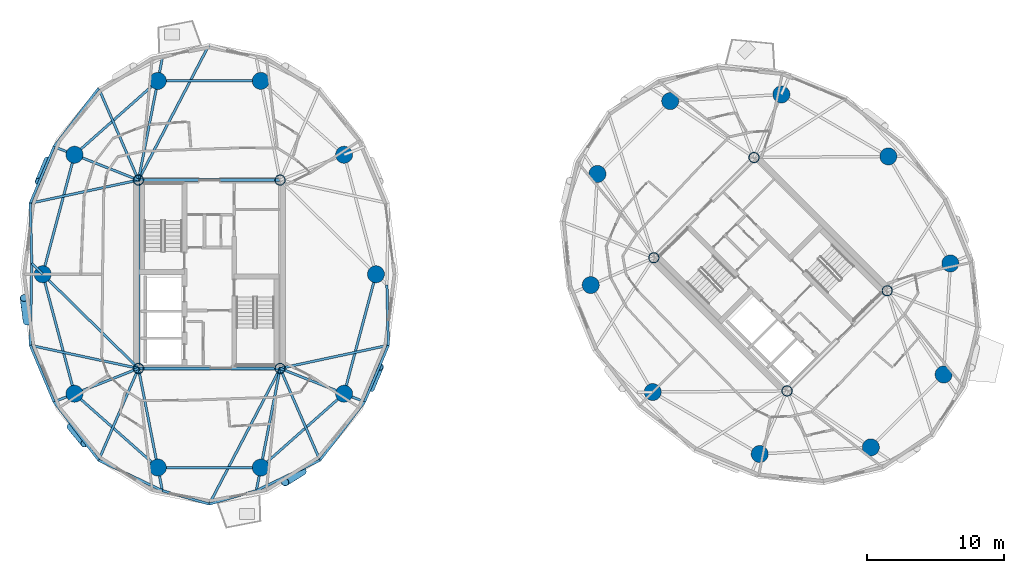
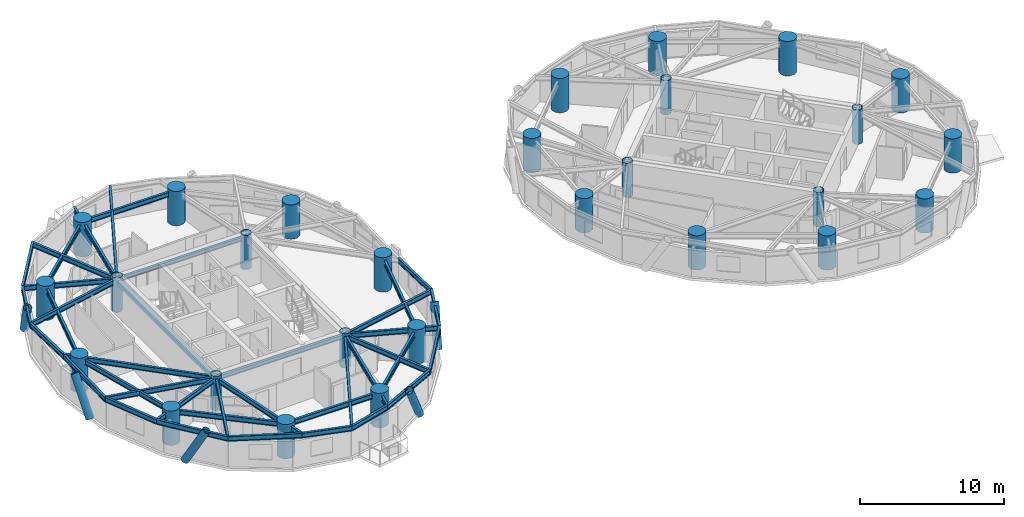
# One storey, part 1 of 16: 40 beams, 28 columns, 5 members.
"""IFC4 building model written with IfcOpenShell, lengths in metres."""

from ifc_helpers import new_model, si_unit, direction, frame, origin, origin_2d, place, context, subcontext, project, spatial, hollow_rectangle, circle, hollow_circle, i_section, extrude, material, material_profile, profile_set, type_object, element, save


model = new_model("IFC4")

# Units and contexts
model_context = context("Model", 3, precision=1e-05, world=origin(), true_north=direction((0.0, 1.0)))
body_context = subcontext(model_context, "Body", "Model", "MODEL_VIEW")
ifc_project = project(units=[si_unit("LENGTHUNIT", "METRE"), si_unit("AREAUNIT", "SQUARE_METRE"), si_unit("VOLUMEUNIT", "CUBIC_METRE"), si_unit("PLANEANGLEUNIT", "RADIAN"), si_unit("MASSUNIT", "GRAM", prefix="KILO")], contexts=[model_context])

# Site, building, storey
site_placement = place(None, origin())
site = spatial("IfcSite", under=ifc_project, at=site_placement, CompositionType="ELEMENT")
building_placement = place(site_placement, origin())
building = spatial("IfcBuilding", under=site, at=building_placement, Name="Cununo Teusaquillo Station Towers", CompositionType="ELEMENT")
storey_placement = place(building_placement, frame((0.0, 0.0, 180.699951171875)))
storey = spatial("IfcBuildingStorey", under=building, at=storey_placement, Name="L57", CompositionType="ELEMENT", Elevation=180.699951171875)

# Columns
ifc_material_1 = material(Name="Steel EN 10025-2 S355J2", Category="steel")
ifc_material_profile_1 = material_profile(ifc_material_1, hollow_circle(Radius=0.3798828125, WallThickness=0.031982421875, at=origin_2d()), Name="CHS 760x32")
ifc_profile_set_1 = profile_set([ifc_material_profile_1], Name="Steel EN 10025-2 S355J2")
column_type_1 = type_object("IfcColumnType", Name="COL-CORE-Z2", PredefinedType="COLUMN", material=ifc_profile_set_1)
for number, where, z_axis, x_axis, name in (
    (1, (11.324951171875, 17.6201171875, 0.0), (0.0, 0.0, 1.0), (1.0, 0.0, 0.0), "L57 Tower A Core Column 1"),
    (2, (11.324951171875, 31.3798828125, 0.0), (0.0, 0.0, 1.0), (1.0, 0.0, 0.0), "L57 Tower A Core Column 2"),
    (3, (21.675048828125, 17.6201171875, 0.0), (0.0, 0.0, 1.0), (1.0, 0.0, 0.0), "L57 Tower A Core Column 3"),
    (4, (21.675048828125, 31.3798828125, 0.0), (0.0, 0.0, 1.0), (1.0, 0.0, 0.0), "L57 Tower A Core Column 4"),
    (5, (58.70556640625, 15.975830078125, 0.0), (0.0, 0.0, 1.0), (0.707106781187, 0.707106781187, 0.0), "L57 Tower B Core Column 1"),
    (6, (48.975830078125, 25.70556640625, 0.0), (0.0, 0.0, 1.0), (0.707106781187, 0.707106781187, 0.0), "L57 Tower B Core Column 2"),
    (7, (66.024169921875, 23.29443359375, 0.0), (0.0, 0.0, 1.0), (0.707106781187, 0.707106781187, 0.0), "L57 Tower B Core Column 3"),
    (8, (56.29443359375, 33.024169921875, 0.0), (0.0, 0.0, 1.0), (0.707106781187, 0.707106781187, 0.0), "L57 Tower B Core Column 4"),
):
    element("IfcColumn", number, at=place(storey_placement, frame(where, z_axis=z_axis, x_axis=x_axis)), inside=storey, type_object=column_type_1, Name=name, PredefinedType="COLUMN", context=body_context, shape_type="SweptSolid", body=[
        extrude(hollow_circle(Radius=0.3798828125, WallThickness=0.031982421875, at=origin_2d()), origin(), (0.0, 0.0, 1.0), 2.91015625),
    ])
ifc_material_2 = material(Name="Concrete C60/75", Category="concrete")
ifc_material_profile_2 = material_profile(ifc_material_2, circle(Radius=0.625, at=origin_2d()), Name="RC-CIRC-1250")
ifc_profile_set_2 = profile_set([ifc_material_profile_2], Name="Concrete C60/75")
column_type_2 = type_object("IfcColumnType", Name="COL-MEGA-Z3", PredefinedType="USERDEFINED", material=ifc_profile_set_2)
for number, where, z_axis, x_axis, name in (
    (9, (28.672119140625, 24.5, 0.0), (0.0, 0.0, 1.0), (1.0, 0.0, 0.0), "L57 Tower A Perimeter Column V00"),
    (10, (26.347412109375, 33.228515625, 0.0), (0.0, 0.0, 1.0), (1.0, 0.0, 0.0), "L57 Tower A Perimeter Column V02"),
    (11, (20.261474609375, 38.623291015625, 0.0), (0.0, 0.0, 1.0), (1.0, 0.0, 0.0), "L57 Tower A Perimeter Column V04"),
    (12, (12.738525390625, 38.623291015625, 0.0), (0.0, 0.0, 1.0), (1.0, 0.0, 0.0), "L57 Tower A Perimeter Column V06"),
    (13, (6.652587890625, 33.228515625, 0.0), (0.0, 0.0, 1.0), (1.0, 0.0, 0.0), "L57 Tower A Perimeter Column V08"),
    (14, (4.327880859375, 24.5, 0.0), (0.0, 0.0, 1.0), (1.0, 0.0, 0.0), "L57 Tower A Perimeter Column V10"),
    (15, (6.652587890625, 15.771484375, 0.0), (0.0, 0.0, 1.0), (1.0, 0.0, 0.0), "L57 Tower A Perimeter Column V12"),
    (16, (12.738525390625, 10.376708984375, 0.0), (0.0, 0.0, 1.0), (1.0, 0.0, 0.0), "L57 Tower A Perimeter Column V14"),
    (17, (20.261474609375, 10.376708984375, 0.0), (0.0, 0.0, 1.0), (1.0, 0.0, 0.0), "L57 Tower A Perimeter Column V16"),
    (18, (26.347412109375, 15.771484375, 0.0), (0.0, 0.0, 1.0), (1.0, 0.0, 0.0), "L57 Tower A Perimeter Column V18"),
    (19, (66.10693359375, 33.10693359375, 0.0), (0.0, 0.0, 1.0), (1.0, 0.0, 0.0), "L57 Tower B Perimeter Column V00"),
    (20, (58.291015625, 37.63525390625, 0.0), (0.0, 0.0, 1.0), (1.0, 0.0, 0.0), "L57 Tower B Perimeter Column V02"),
    (21, (50.173095703125, 37.146240234375, 0.0), (0.0, 0.0, 1.0), (1.0, 0.0, 0.0), "L57 Tower B Perimeter Column V04"),
    (22, (44.853759765625, 31.826904296875, 0.0), (0.0, 0.0, 1.0), (1.0, 0.0, 0.0), "L57 Tower B Perimeter Column V06"),
    (23, (44.36474609375, 23.708984375, 0.0), (0.0, 0.0, 1.0), (1.0, 0.0, 0.0), "L57 Tower B Perimeter Column V08"),
    (24, (48.89306640625, 15.89306640625, 0.0), (0.0, 0.0, 1.0), (1.0, 0.0, 0.0), "L57 Tower B Perimeter Column V10"),
    (25, (56.708984375, 11.36474609375, 0.0), (0.0, 0.0, 1.0), (1.0, 0.0, 0.0), "L57 Tower B Perimeter Column V12"),
    (26, (64.826904296875, 11.853759765625, 0.0), (0.0, 0.0, 1.0), (1.0, 0.0, 0.0), "L57 Tower B Perimeter Column V14"),
    (27, (70.146240234375, 17.173095703125, 0.0), (0.0, 0.0, 1.0), (1.0, 0.0, 0.0), "L57 Tower B Perimeter Column V16"),
    (28, (70.63525390625, 25.291015625, 0.0), (0.0, 0.0, 1.0), (1.0, 0.0, 0.0), "L57 Tower B Perimeter Column V18"),
):
    element("IfcColumn", number, at=place(storey_placement, frame(where, z_axis=z_axis, x_axis=x_axis)), inside=storey, type_object=column_type_2, Name=name, ObjectType="MEGA COLUMN", PredefinedType="USERDEFINED", context=body_context, shape_type="SweptSolid", body=[
        extrude(circle(Radius=0.625, at=origin_2d()), origin(), (0.0, 0.0, 1.0), 2.91015625),
    ])

# Beams
ifc_material_3 = material(Name="Steel EN 10025-2 S355J2", Category="steel")
ifc_material_profile_3 = material_profile(ifc_material_3, hollow_rectangle(XDim=0.25, YDim=0.449951171875, WallThickness=0.01611328125, at=origin_2d()), Name="RHS 450x250x16")
ifc_profile_set_3 = profile_set([ifc_material_profile_3], Name="Steel EN 10025-2 S355J2")
beam_type_1 = type_object("IfcBeamType", Name="BM-COUP-1", PredefinedType="USERDEFINED", material=ifc_profile_set_3)
beam_1_placement = place(storey_placement, frame((11.324951171875, 17.6201171875, 2.465087890625), z_axis=(0.0, 1.0, 0.0), x_axis=(-1.0, 0.0, 0.0)))
element("IfcBeam", 29, at=beam_1_placement, inside=storey, type_object=beam_type_1, Name="L57 Tower A Core Beam 1", ObjectType="COUPLING BEAM", PredefinedType="USERDEFINED", context=body_context, shape_type="SweptSolid", body=[
    extrude(hollow_rectangle(XDim=0.25, YDim=0.449951171875, WallThickness=0.01611328125, at=origin_2d()), origin(), (0.0, 0.0, 1.0), 13.759765625),
])
ifc_material_4 = material(Name="Steel ASTM A572 Grade 50", Category="steel")
ifc_material_profile_4 = material_profile(ifc_material_4, i_section(OverallWidth=0.180908203125, OverallDepth=0.4169921875, WebThickness=0.010986328125, FlangeThickness=0.018310546875, FilletRadius=0.012939453125, at=origin_2d()), Name="W16X57")
ifc_profile_set_4 = profile_set([ifc_material_profile_4], Name="Steel ASTM A572 Grade 50")
beam_type_2 = type_object("IfcBeamType", Name="BM-JOIST-1", PredefinedType="JOIST", material=ifc_profile_set_4)
beam_2_placement = place(storey_placement, frame((11.324951171875, 31.3798828125, 2.4814453125), z_axis=(0.462884645231, 0.886418527113, 0.0), x_axis=(-0.886418527113, 0.462884645231, 0.0)))
element("IfcBeam", 30, at=beam_2_placement, inside=storey, type_object=beam_type_2, Name="L57 Tower A Radial Spandrel Joist V05", PredefinedType="JOIST", context=body_context, shape_type="SweptSolid", body=[
    extrude(i_section(OverallWidth=0.180908203125, OverallDepth=0.4169921875, WebThickness=0.010986328125, FlangeThickness=0.018310546875, FilletRadius=0.012939453125, at=origin_2d()), origin(), (0.0, 0.0, 1.0), 11.179931640625),
])
beam_3_placement = place(storey_placement, frame((11.324951171875, 31.3798828125, 2.4814453125), z_axis=(-0.397903718051, 0.917427180304, 0.0), x_axis=(-0.917427180304, -0.397903718051, 0.0)))
element("IfcBeam", 31, at=beam_3_placement, inside=storey, type_object=beam_type_2, Name="L57 Tower A Radial Spandrel Joist V07", PredefinedType="JOIST", context=body_context, shape_type="SweptSolid", body=[
    extrude(i_section(OverallWidth=0.180908203125, OverallDepth=0.4169921875, WebThickness=0.010986328125, FlangeThickness=0.018310546875, FilletRadius=0.012939453125, at=origin_2d()), origin(), (0.0, 0.0, 1.0), 7.306884765625),
])
for number, where, z_axis, x_axis, name in (
    (32, (11.324951171875, 31.3798828125, 2.4814453125), (-0.977854548984, -0.209285644589, 0.0), (0.209285644589, -0.977854548984, 0.0), "L57 Tower A Radial Spandrel Joist V09"),
    (33, (11.324951171875, 17.6201171875, 2.4814453125), (-0.977854548984, 0.209285644589, 0.0), (-0.209285644589, -0.977854548984, 0.0), "L57 Tower A Radial Spandrel Joist V11"),
):
    element("IfcBeam", number, at=place(storey_placement, frame(where, z_axis=z_axis, x_axis=x_axis)), inside=storey, type_object=beam_type_2, Name=name, PredefinedType="JOIST", context=body_context, shape_type="SweptSolid", body=[
        extrude(i_section(OverallWidth=0.180908203125, OverallDepth=0.4169921875, WebThickness=0.010986328125, FlangeThickness=0.018310546875, FilletRadius=0.012939453125, at=origin_2d()), origin(), (0.0, 0.0, 1.0), 8.081787109375),
    ])
beam_4_placement = place(storey_placement, frame((11.324951171875, 17.6201171875, 2.4814453125), z_axis=(-0.397903718051, -0.917427180304, 0.0), x_axis=(0.917427180304, -0.397903718051, 0.0)))
element("IfcBeam", 34, at=beam_4_placement, inside=storey, type_object=beam_type_2, Name="L57 Tower A Radial Spandrel Joist V13", PredefinedType="JOIST", context=body_context, shape_type="SweptSolid", body=[
    extrude(i_section(OverallWidth=0.180908203125, OverallDepth=0.4169921875, WebThickness=0.010986328125, FlangeThickness=0.018310546875, FilletRadius=0.012939453125, at=origin_2d()), origin(), (0.0, 0.0, 1.0), 7.306884765625),
])
beam_5_placement = place(storey_placement, frame((21.675048828125, 17.6201171875, 2.4814453125), z_axis=(-0.462884645231, -0.886418527113, 0.0), x_axis=(0.886418527113, -0.462884645231, 0.0)))
element("IfcBeam", 35, at=beam_5_placement, inside=storey, type_object=beam_type_2, Name="L57 Tower A Radial Spandrel Joist V15", PredefinedType="JOIST", context=body_context, shape_type="SweptSolid", body=[
    extrude(i_section(OverallWidth=0.180908203125, OverallDepth=0.4169921875, WebThickness=0.010986328125, FlangeThickness=0.018310546875, FilletRadius=0.012939453125, at=origin_2d()), origin(), (0.0, 0.0, 1.0), 11.179931640625),
])
beam_6_placement = place(storey_placement, frame((21.675048828125, 17.6201171875, 2.4814453125), z_axis=(0.397903718051, -0.917427180304, 0.0), x_axis=(0.917427180304, 0.397903718051, 0.0)))
element("IfcBeam", 36, at=beam_6_placement, inside=storey, type_object=beam_type_2, Name="L57 Tower A Radial Spandrel Joist V17", PredefinedType="JOIST", context=body_context, shape_type="SweptSolid", body=[
    extrude(i_section(OverallWidth=0.180908203125, OverallDepth=0.4169921875, WebThickness=0.010986328125, FlangeThickness=0.018310546875, FilletRadius=0.012939453125, at=origin_2d()), origin(), (0.0, 0.0, 1.0), 7.306884765625),
])
beam_7_placement = place(storey_placement, frame((21.675048828125, 17.6201171875, 2.4814453125), z_axis=(0.977854548984, 0.209285644589, 0.0), x_axis=(-0.209285644589, 0.977854548984, 0.0)))
element("IfcBeam", 37, at=beam_7_placement, inside=storey, type_object=beam_type_2, Name="L57 Tower A Radial Spandrel Joist V19", PredefinedType="JOIST", context=body_context, shape_type="SweptSolid", body=[
    extrude(i_section(OverallWidth=0.180908203125, OverallDepth=0.4169921875, WebThickness=0.010986328125, FlangeThickness=0.018310546875, FilletRadius=0.012939453125, at=origin_2d()), origin(), (0.0, 0.0, 1.0), 8.081787109375),
])
ifc_material_5 = material(Name="Steel ASTM A572 Grade 50", Category="steel")
ifc_material_profile_5 = material_profile(ifc_material_5, i_section(OverallWidth=0.2041015625, OverallDepth=0.35009765625, WebThickness=0.008544921875, FlangeThickness=0.01513671875, FilletRadius=0.011962890625, at=origin_2d()), Name="W14X48")
ifc_profile_set_5 = profile_set([ifc_material_profile_5], Name="Steel ASTM A572 Grade 50")
beam_type_3 = type_object("IfcBeamType", Name="BM-LINTEL-1", PredefinedType="LINTEL", material=ifc_profile_set_5)
for number, where, z_axis, x_axis, name in (
    (38, (11.324951171875, 17.6201171875, 2.51513671875), (1.0, 0.0, 0.0), (0.0, 1.0, 0.0), "L57 Tower A Core Beam 3"),
    (39, (11.324951171875, 31.3798828125, 2.51513671875), (1.0, 0.0, 0.0), (0.0, 1.0, 0.0), "L57 Tower A Core Beam 4"),
):
    element("IfcBeam", number, at=place(storey_placement, frame(where, z_axis=z_axis, x_axis=x_axis)), inside=storey, type_object=beam_type_3, Name=name, PredefinedType="LINTEL", context=body_context, shape_type="SweptSolid", body=[
        extrude(i_section(OverallWidth=0.2041015625, OverallDepth=0.35009765625, WebThickness=0.008544921875, FlangeThickness=0.01513671875, FilletRadius=0.011962890625, at=origin_2d()), origin(), (0.0, 0.0, 1.0), 10.35009765625),
    ])
ifc_material_6 = material(Name="Steel ASTM A572 Grade 50", Category="steel")
ifc_material_profile_6 = material_profile(ifc_material_6, i_section(OverallWidth=0.180908203125, OverallDepth=0.4169921875, WebThickness=0.010986328125, FlangeThickness=0.018310546875, FilletRadius=0.012939453125, at=origin_2d()), Name="W16X57")
ifc_profile_set_6 = profile_set([ifc_material_profile_6], Name="Steel ASTM A572 Grade 50")
beam_type_4 = type_object("IfcBeamType", Name="BM-RAD-G2", PredefinedType="BEAM", material=ifc_profile_set_6)
beam_8_placement = place(storey_placement, frame((11.324951171875, 31.3798828125, 2.4814453125), z_axis=(0.191557018874, 0.981481486591, 0.0), x_axis=(-0.981481486591, 0.191557018874, 0.0)))
element("IfcBeam", 40, at=beam_8_placement, inside=storey, type_object=beam_type_4, Name="L57 Tower A Continuous Overhanging Radial Girder 04", PredefinedType="BEAM", context=body_context, shape_type="SweptSolid", body=[
    extrude(i_section(OverallWidth=0.180908203125, OverallDepth=0.4169921875, WebThickness=0.010986328125, FlangeThickness=0.018310546875, FilletRadius=0.012939453125, at=origin_2d()), origin(), (0.0, 0.0, 1.0), 9.097412109375),
])
beam_9_placement = place(storey_placement, frame((11.324951171875, 31.3798828125, 2.4814453125), z_axis=(-0.929866438974, 0.367897275974, 0.0), x_axis=(-0.367897275974, -0.929866438974, 0.0)))
element("IfcBeam", 41, at=beam_9_placement, inside=storey, type_object=beam_type_4, Name="L57 Tower A Continuous Overhanging Radial Girder 05", PredefinedType="BEAM", context=body_context, shape_type="SweptSolid", body=[
    extrude(i_section(OverallWidth=0.180908203125, OverallDepth=0.4169921875, WebThickness=0.010986328125, FlangeThickness=0.018310546875, FilletRadius=0.012939453125, at=origin_2d()), origin(), (0.0, 0.0, 1.0), 6.632080078125),
])
beam_10_placement = place(storey_placement, frame((11.324951171875, 17.6201171875, 2.4814453125), z_axis=(-0.713052701438, 0.701110437073, 0.0), x_axis=(-0.701110437073, -0.713052701438, 0.0)))
element("IfcBeam", 42, at=beam_10_placement, inside=storey, type_object=beam_type_4, Name="L57 Tower A Radial Girder 06A", PredefinedType="BEAM", context=body_context, shape_type="SweptSolid", body=[
    extrude(i_section(OverallWidth=0.180908203125, OverallDepth=0.4169921875, WebThickness=0.010986328125, FlangeThickness=0.018310546875, FilletRadius=0.012939453125, at=origin_2d()), origin(), (0.0, 0.0, 1.0), 9.812744140625),
])
beam_11_placement = place(storey_placement, frame((4.327880859375, 24.5, 2.4814453125), z_axis=(-0.713045362701, 0.701117900734, 0.0), x_axis=(-0.701117900734, -0.713045362701, 0.0)))
element("IfcBeam", 43, at=beam_11_placement, inside=storey, type_object=beam_type_4, Name="L57 Tower A Perimeter Overhang Girder 06B", PredefinedType="BEAM", context=body_context, shape_type="SweptSolid", body=[
    extrude(i_section(OverallWidth=0.180908203125, OverallDepth=0.4169921875, WebThickness=0.010986328125, FlangeThickness=0.018310546875, FilletRadius=0.012939453125, at=origin_2d()), origin(), (0.0, 0.0, 1.0), 1.125732421875),
])
beam_12_placement = place(storey_placement, frame((11.324951171875, 17.6201171875, 2.4814453125), z_axis=(-0.929866438974, -0.367897275974, 0.0), x_axis=(0.367897275974, -0.929866438974, 0.0)))
element("IfcBeam", 44, at=beam_12_placement, inside=storey, type_object=beam_type_4, Name="L57 Tower A Continuous Overhanging Radial Girder 07", PredefinedType="BEAM", context=body_context, shape_type="SweptSolid", body=[
    extrude(i_section(OverallWidth=0.180908203125, OverallDepth=0.4169921875, WebThickness=0.010986328125, FlangeThickness=0.018310546875, FilletRadius=0.012939453125, at=origin_2d()), origin(), (0.0, 0.0, 1.0), 6.632080078125),
])
for number, where, z_axis, x_axis, name in (
    (45, (11.324951171875, 17.6201171875, 2.4814453125), (0.191557018874, -0.981481486591, 0.0), (0.981481486591, 0.191557018874, 0.0), "L57 Tower A Continuous Overhanging Radial Girder 08"),
    (46, (21.675048828125, 17.6201171875, 2.4814453125), (-0.191557018874, -0.981481486591, 0.0), (0.981481486591, -0.191557018874, 0.0), "L57 Tower A Continuous Overhanging Radial Girder 09"),
):
    element("IfcBeam", number, at=place(storey_placement, frame(where, z_axis=z_axis, x_axis=x_axis)), inside=storey, type_object=beam_type_4, Name=name, PredefinedType="BEAM", context=body_context, shape_type="SweptSolid", body=[
        extrude(i_section(OverallWidth=0.180908203125, OverallDepth=0.4169921875, WebThickness=0.010986328125, FlangeThickness=0.018310546875, FilletRadius=0.012939453125, at=origin_2d()), origin(), (0.0, 0.0, 1.0), 9.097412109375),
    ])
beam_13_placement = place(storey_placement, frame((21.675048828125, 17.6201171875, 2.4814453125), z_axis=(0.929866438974, -0.367897275974, 0.0), x_axis=(0.367897275974, 0.929866438974, 0.0)))
element("IfcBeam", 47, at=beam_13_placement, inside=storey, type_object=beam_type_4, Name="L57 Tower A Continuous Overhanging Radial Girder 10", PredefinedType="BEAM", context=body_context, shape_type="SweptSolid", body=[
    extrude(i_section(OverallWidth=0.180908203125, OverallDepth=0.4169921875, WebThickness=0.010986328125, FlangeThickness=0.018310546875, FilletRadius=0.012939453125, at=origin_2d()), origin(), (0.0, 0.0, 1.0), 6.632080078125),
])
ifc_material_7 = material(Name="Steel ASTM A572 Grade 50", Category="steel")
ifc_material_profile_7 = material_profile(ifc_material_7, i_section(OverallWidth=0.180908203125, OverallDepth=0.4169921875, WebThickness=0.010986328125, FlangeThickness=0.018310546875, FilletRadius=0.012939453125, at=origin_2d()), Name="W16X57")
ifc_profile_set_7 = profile_set([ifc_material_profile_7], Name="Steel ASTM A572 Grade 50")
beam_type_5 = type_object("IfcBeamType", Name="BM-RING-Z3", PredefinedType="SPANDREL", material=ifc_profile_set_7)
beam_14_placement = place(storey_placement, frame((20.261474609375, 38.623291015625, 2.4814453125), z_axis=(-1.0, 0.0, 0.0), x_axis=(0.0, -1.0, 0.0)))
element("IfcBeam", 48, at=beam_14_placement, inside=storey, type_object=beam_type_5, Name="L57 Tower A Structural Column Ring Girder 03", PredefinedType="SPANDREL", context=body_context, shape_type="SweptSolid", body=[
    extrude(i_section(OverallWidth=0.180908203125, OverallDepth=0.4169921875, WebThickness=0.010986328125, FlangeThickness=0.018310546875, FilletRadius=0.012939453125, at=origin_2d()), origin(), (0.0, 0.0, 1.0), 7.52294921875),
])
beam_15_placement = place(storey_placement, frame((12.738525390625, 38.623291015625, 2.4814453125), z_axis=(-0.74832120039, -0.66333655187, 0.0), x_axis=(0.66333655187, -0.74832120039, 0.0)))
element("IfcBeam", 49, at=beam_15_placement, inside=storey, type_object=beam_type_5, Name="L57 Tower A Structural Column Ring Girder 04", PredefinedType="SPANDREL", context=body_context, shape_type="SweptSolid", body=[
    extrude(i_section(OverallWidth=0.180908203125, OverallDepth=0.4169921875, WebThickness=0.010986328125, FlangeThickness=0.018310546875, FilletRadius=0.012939453125, at=origin_2d()), origin(), (0.0, 0.0, 1.0), 8.1328125),
])
for number, where, z_axis, x_axis, name in (
    (50, (6.652587890625, 33.228515625, 2.4814453125), (-0.257363196347, -0.966314744359, 0.0), (0.966314744359, -0.257363196347, 0.0), "L57 Tower A Structural Column Ring Girder 05"),
    (51, (4.327880859375, 24.5, 2.4814453125), (0.257363196347, -0.966314744359, 0.0), (0.966314744359, 0.257363196347, 0.0), "L57 Tower A Structural Column Ring Girder 06"),
):
    element("IfcBeam", number, at=place(storey_placement, frame(where, z_axis=z_axis, x_axis=x_axis)), inside=storey, type_object=beam_type_5, Name=name, PredefinedType="SPANDREL", context=body_context, shape_type="SweptSolid", body=[
        extrude(i_section(OverallWidth=0.180908203125, OverallDepth=0.4169921875, WebThickness=0.010986328125, FlangeThickness=0.018310546875, FilletRadius=0.012939453125, at=origin_2d()), origin(), (0.0, 0.0, 1.0), 9.03271484375),
    ])
beam_16_placement = place(storey_placement, frame((6.652587890625, 15.771484375, 2.4814453125), z_axis=(0.74832120039, -0.66333655187, 0.0), x_axis=(0.66333655187, 0.74832120039, 0.0)))
element("IfcBeam", 52, at=beam_16_placement, inside=storey, type_object=beam_type_5, Name="L57 Tower A Structural Column Ring Girder 07", PredefinedType="SPANDREL", context=body_context, shape_type="SweptSolid", body=[
    extrude(i_section(OverallWidth=0.180908203125, OverallDepth=0.4169921875, WebThickness=0.010986328125, FlangeThickness=0.018310546875, FilletRadius=0.012939453125, at=origin_2d()), origin(), (0.0, 0.0, 1.0), 8.1328125),
])
beam_17_placement = place(storey_placement, frame((12.738525390625, 10.376708984375, 2.4814453125), z_axis=(1.0, 0.0, 0.0), x_axis=(0.0, 1.0, 0.0)))
element("IfcBeam", 53, at=beam_17_placement, inside=storey, type_object=beam_type_5, Name="L57 Tower A Structural Column Ring Girder 08", PredefinedType="SPANDREL", context=body_context, shape_type="SweptSolid", body=[
    extrude(i_section(OverallWidth=0.180908203125, OverallDepth=0.4169921875, WebThickness=0.010986328125, FlangeThickness=0.018310546875, FilletRadius=0.012939453125, at=origin_2d()), origin(), (0.0, 0.0, 1.0), 7.52294921875),
])
beam_18_placement = place(storey_placement, frame((20.261474609375, 10.376708984375, 2.4814453125), z_axis=(0.74832120039, 0.66333655187, 0.0), x_axis=(-0.66333655187, 0.74832120039, 0.0)))
element("IfcBeam", 54, at=beam_18_placement, inside=storey, type_object=beam_type_5, Name="L57 Tower A Structural Column Ring Girder 09", PredefinedType="SPANDREL", context=body_context, shape_type="SweptSolid", body=[
    extrude(i_section(OverallWidth=0.180908203125, OverallDepth=0.4169921875, WebThickness=0.010986328125, FlangeThickness=0.018310546875, FilletRadius=0.012939453125, at=origin_2d()), origin(), (0.0, 0.0, 1.0), 8.1328125),
])
beam_19_placement = place(storey_placement, frame((26.347412109375, 15.771484375, 2.4814453125), z_axis=(0.257363196347, 0.966314744359, 0.0), x_axis=(-0.966314744359, 0.257363196347, 0.0)))
element("IfcBeam", 55, at=beam_19_placement, inside=storey, type_object=beam_type_5, Name="L57 Tower A Structural Column Ring Girder 10", PredefinedType="SPANDREL", context=body_context, shape_type="SweptSolid", body=[
    extrude(i_section(OverallWidth=0.180908203125, OverallDepth=0.4169921875, WebThickness=0.010986328125, FlangeThickness=0.018310546875, FilletRadius=0.012939453125, at=origin_2d()), origin(), (0.0, 0.0, 1.0), 9.03271484375),
])
beam_20_placement = place(storey_placement, frame((8.41748046875, 38.08349609375, 2.4814453125), z_axis=(-0.607340349092, -0.794441753916, 0.0), x_axis=(0.794441753916, -0.607340349092, 0.0)))
element("IfcBeam", 56, at=beam_20_placement, inside=storey, type_object=beam_type_5, Name="L57 Tower A Spandrel Ring Beam 08", PredefinedType="SPANDREL", context=body_context, shape_type="SweptSolid", body=[
    extrude(i_section(OverallWidth=0.180908203125, OverallDepth=0.4169921875, WebThickness=0.010986328125, FlangeThickness=0.018310546875, FilletRadius=0.012939453125, at=origin_2d()), origin(), (0.0, 0.0, 1.0), 5.366943359375),
])
beam_21_placement = place(storey_placement, frame((5.157958984375, 33.81982421875, 2.4814453125), z_axis=(-0.387360300858, -0.921928412253, 0.0), x_axis=(0.921928412253, -0.387360300858, 0.0)))
element("IfcBeam", 57, at=beam_21_placement, inside=storey, type_object=beam_type_5, Name="L57 Tower A Spandrel Ring Beam 09", PredefinedType="SPANDREL", context=body_context, shape_type="SweptSolid", body=[
    extrude(i_section(OverallWidth=0.180908203125, OverallDepth=0.4169921875, WebThickness=0.010986328125, FlangeThickness=0.018310546875, FilletRadius=0.012939453125, at=origin_2d()), origin(), (0.0, 0.0, 1.0), 4.481201171875),
])
beam_22_placement = place(storey_placement, frame((3.422119140625, 29.6884765625, 2.4814453125), z_axis=(0.0234133036, -0.999725871034, 0.0), x_axis=(0.999725871034, 0.0234133036, 0.0)))
element("IfcBeam", 58, at=beam_22_placement, inside=storey, type_object=beam_type_5, Name="L57 Tower A Spandrel Ring Beam 10", PredefinedType="SPANDREL", context=body_context, shape_type="SweptSolid", body=[
    extrude(i_section(OverallWidth=0.180908203125, OverallDepth=0.4169921875, WebThickness=0.010986328125, FlangeThickness=0.018310546875, FilletRadius=0.012939453125, at=origin_2d()), origin(), (0.0, 0.0, 1.0), 4.400390625),
])
beam_23_placement = place(storey_placement, frame((3.525146484375, 25.289306640625, 2.4814453125), z_axis=(-0.017232482627, -0.999851509747, 0.0), x_axis=(0.999851509747, -0.017232482627, 0.0)))
element("IfcBeam", 59, at=beam_23_placement, inside=storey, type_object=beam_type_5, Name="L57 Tower A Spandrel Ring Beam 11", PredefinedType="SPANDREL", context=body_context, shape_type="SweptSolid", body=[
    extrude(i_section(OverallWidth=0.180908203125, OverallDepth=0.4169921875, WebThickness=0.010986328125, FlangeThickness=0.018310546875, FilletRadius=0.012939453125, at=origin_2d()), origin(), (0.0, 0.0, 1.0), 5.978759765625),
])
beam_24_placement = place(storey_placement, frame((3.422119140625, 19.3115234375, 2.4814453125), z_axis=(0.387360300858, -0.921928412253, 0.0), x_axis=(0.921928412253, 0.387360300858, 0.0)))
element("IfcBeam", 60, at=beam_24_placement, inside=storey, type_object=beam_type_5, Name="L57 Tower A Spandrel Ring Beam 12", PredefinedType="SPANDREL", context=body_context, shape_type="SweptSolid", body=[
    extrude(i_section(OverallWidth=0.180908203125, OverallDepth=0.4169921875, WebThickness=0.010986328125, FlangeThickness=0.018310546875, FilletRadius=0.012939453125, at=origin_2d()), origin(), (0.0, 0.0, 1.0), 4.481201171875),
])
beam_25_placement = place(storey_placement, frame((5.157958984375, 15.18017578125, 2.4814453125), z_axis=(0.607340349092, -0.794441753916, 0.0), x_axis=(0.794441753916, 0.607340349092, 0.0)))
element("IfcBeam", 61, at=beam_25_placement, inside=storey, type_object=beam_type_5, Name="L57 Tower A Spandrel Ring Beam 13", PredefinedType="SPANDREL", context=body_context, shape_type="SweptSolid", body=[
    extrude(i_section(OverallWidth=0.180908203125, OverallDepth=0.4169921875, WebThickness=0.010986328125, FlangeThickness=0.018310546875, FilletRadius=0.012939453125, at=origin_2d()), origin(), (0.0, 0.0, 1.0), 5.366943359375),
])
beam_26_placement = place(storey_placement, frame((8.41748046875, 10.91650390625, 2.4814453125), z_axis=(0.902031610991, -0.431669981319, 0.0), x_axis=(0.431669981319, 0.902031610991, 0.0)))
element("IfcBeam", 62, at=beam_26_placement, inside=storey, type_object=beam_type_5, Name="L57 Tower A Spandrel Ring Beam 14", PredefinedType="SPANDREL", context=body_context, shape_type="SweptSolid", body=[
    extrude(i_section(OverallWidth=0.180908203125, OverallDepth=0.4169921875, WebThickness=0.010986328125, FlangeThickness=0.018310546875, FilletRadius=0.012939453125, at=origin_2d()), origin(), (0.0, 0.0, 1.0), 5.1552734375),
])
for number, where, z_axis, x_axis, name in (
    (63, (13.067626953125, 8.691162109375, 2.4814453125), (0.961485227168, -0.274856613414, 0.0), (0.274856613414, 0.961485227168, 0.0), "L57 Tower A Spandrel Ring Beam 15"),
    (64, (16.5, 7.7099609375, 2.4814453125), (0.961485227168, 0.274856613414, 0.0), (-0.274856613414, 0.961485227168, 0.0), "L57 Tower A Spandrel Ring Beam 16"),
):
    element("IfcBeam", number, at=place(storey_placement, frame(where, z_axis=z_axis, x_axis=x_axis)), inside=storey, type_object=beam_type_5, Name=name, PredefinedType="SPANDREL", context=body_context, shape_type="SweptSolid", body=[
        extrude(i_section(OverallWidth=0.180908203125, OverallDepth=0.4169921875, WebThickness=0.010986328125, FlangeThickness=0.018310546875, FilletRadius=0.012939453125, at=origin_2d()), origin(), (0.0, 0.0, 1.0), 3.56982421875),
    ])
beam_27_placement = place(storey_placement, frame((19.932373046875, 8.691162109375, 2.4814453125), z_axis=(0.902031610991, 0.431669981319, 0.0), x_axis=(-0.431669981319, 0.902031610991, 0.0)))
element("IfcBeam", 65, at=beam_27_placement, inside=storey, type_object=beam_type_5, Name="L57 Tower A Spandrel Ring Beam 17", PredefinedType="SPANDREL", context=body_context, shape_type="SweptSolid", body=[
    extrude(i_section(OverallWidth=0.180908203125, OverallDepth=0.4169921875, WebThickness=0.010986328125, FlangeThickness=0.018310546875, FilletRadius=0.012939453125, at=origin_2d()), origin(), (0.0, 0.0, 1.0), 5.1552734375),
])
beam_28_placement = place(storey_placement, frame((24.58251953125, 10.91650390625, 2.4814453125), z_axis=(0.607340349092, 0.794441753916, 0.0), x_axis=(-0.794441753916, 0.607340349092, 0.0)))
element("IfcBeam", 66, at=beam_28_placement, inside=storey, type_object=beam_type_5, Name="L57 Tower A Spandrel Ring Beam 18", PredefinedType="SPANDREL", context=body_context, shape_type="SweptSolid", body=[
    extrude(i_section(OverallWidth=0.180908203125, OverallDepth=0.4169921875, WebThickness=0.010986328125, FlangeThickness=0.018310546875, FilletRadius=0.012939453125, at=origin_2d()), origin(), (0.0, 0.0, 1.0), 5.366943359375),
])
beam_29_placement = place(storey_placement, frame((27.842041015625, 15.18017578125, 2.4814453125), z_axis=(0.387360300858, 0.921928412253, 0.0), x_axis=(-0.921928412253, 0.387360300858, 0.0)))
element("IfcBeam", 67, at=beam_29_placement, inside=storey, type_object=beam_type_5, Name="L57 Tower A Spandrel Ring Beam 19", PredefinedType="SPANDREL", context=body_context, shape_type="SweptSolid", body=[
    extrude(i_section(OverallWidth=0.180908203125, OverallDepth=0.4169921875, WebThickness=0.010986328125, FlangeThickness=0.018310546875, FilletRadius=0.012939453125, at=origin_2d()), origin(), (0.0, 0.0, 1.0), 4.481201171875),
])
beam_30_placement = place(storey_placement, frame((29.577880859375, 19.3115234375, 2.4814453125), z_axis=(-0.0234133036, 0.999725871034, 0.0), x_axis=(-0.999725871034, -0.0234133036, 0.0)))
element("IfcBeam", 68, at=beam_30_placement, inside=storey, type_object=beam_type_5, Name="L57 Tower A Spandrel Ring Beam 20", PredefinedType="SPANDREL", context=body_context, shape_type="SweptSolid", body=[
    extrude(i_section(OverallWidth=0.180908203125, OverallDepth=0.4169921875, WebThickness=0.010986328125, FlangeThickness=0.018310546875, FilletRadius=0.012939453125, at=origin_2d()), origin(), (0.0, 0.0, 1.0), 4.400390625),
])

# Members
ifc_material_8 = material(Name="Steel EN 10025-2 S355J2", Category="steel")
ifc_material_profile_8 = material_profile(ifc_material_8, hollow_circle(Radius=0.304931640625, WallThickness=0.02001953125, at=origin_2d()), Name="CHS 610x20")
ifc_profile_set_8 = profile_set([ifc_material_profile_8], Name="Steel EN 10025-2 S355J2")
member_type = type_object("IfcMemberType", Name="MBR-DIAG-Z3", PredefinedType="BRACE", material=ifc_profile_set_8)
member_1_placement = place(storey_placement, frame((4.72412109375, 32.80859375, -0.139892578125), z_axis=(-0.193480671787, -0.463570113506, 0.864677962891), x_axis=(0.922846026244, -0.38516906917, 0.0)))
element("IfcMember", 69, at=member_1_placement, inside=storey, type_object=member_type, Name="L57 Tower A Folded-Zigzag Diagrid Tube C08", PredefinedType="BRACE", context=body_context, shape_type="SweptSolid", body=[
    extrude(hollow_circle(Radius=0.304931640625, WallThickness=0.02001953125, at=origin_2d()), origin(), (0.0, 0.0, 1.0), 3.365234375),
])
member_2_placement = place(storey_placement, frame((3.19775390625, 21.041015625, -0.139892578125), z_axis=(-0.066135618578, 0.509798391741, 0.857748028114), x_axis=(-0.991689942952, -0.128650911572, 0.0)))
element("IfcMember", 70, at=member_2_placement, inside=storey, type_object=member_type, Name="L57 Tower A Folded-Zigzag Diagrid Tube C10", PredefinedType="BRACE", context=body_context, shape_type="SweptSolid", body=[
    extrude(hollow_circle(Radius=0.304931640625, WallThickness=0.02001953125, at=origin_2d()), origin(), (0.0, 0.0, 1.0), 3.392578125),
])
member_3_placement = place(storey_placement, frame((6.389404296875, 13.392822265625, -0.139892578125), z_axis=(0.305313994852, -0.372802135299, 0.876243078412), x_axis=(0.773658124663, 0.633603271884, 0.0)))
element("IfcMember", 71, at=member_3_placement, inside=storey, type_object=member_type, Name="L57 Tower A Folded-Zigzag Diagrid Tube C12", PredefinedType="BRACE", context=body_context, shape_type="SweptSolid", body=[
    extrude(hollow_circle(Radius=0.304931640625, WallThickness=0.02001953125, at=origin_2d()), origin(), (0.0, 0.0, 1.0), 3.32080078125),
])
member_4_placement = place(storey_placement, frame((23.3046875, 10.12158203125, -0.139892578125), z_axis=(-0.389992377255, -0.242655299129, 0.888270427003), x_axis=(0.528291489706, -0.849063072983, 0.0)))
element("IfcMember", 72, at=member_4_placement, inside=storey, type_object=member_type, Name="L57 Tower A Folded-Zigzag Diagrid Tube C16", PredefinedType="BRACE", context=body_context, shape_type="SweptSolid", body=[
    extrude(hollow_circle(Radius=0.304931640625, WallThickness=0.02001953125, at=origin_2d()), origin(), (0.0, 0.0, 1.0), 3.27587890625),
])
member_5_placement = place(storey_placement, frame((28.27587890625, 16.19140625, -0.139892578125), z_axis=(0.193480671787, 0.463570113506, 0.864677962891), x_axis=(-0.922846026244, 0.38516906917, 0.0)))
element("IfcMember", 73, at=member_5_placement, inside=storey, type_object=member_type, Name="L57 Tower A Folded-Zigzag Diagrid Tube C18", PredefinedType="BRACE", context=body_context, shape_type="SweptSolid", body=[
    extrude(hollow_circle(Radius=0.304931640625, WallThickness=0.02001953125, at=origin_2d()), origin(), (0.0, 0.0, 1.0), 3.365234375),
])

save(model, "model.ifc")
